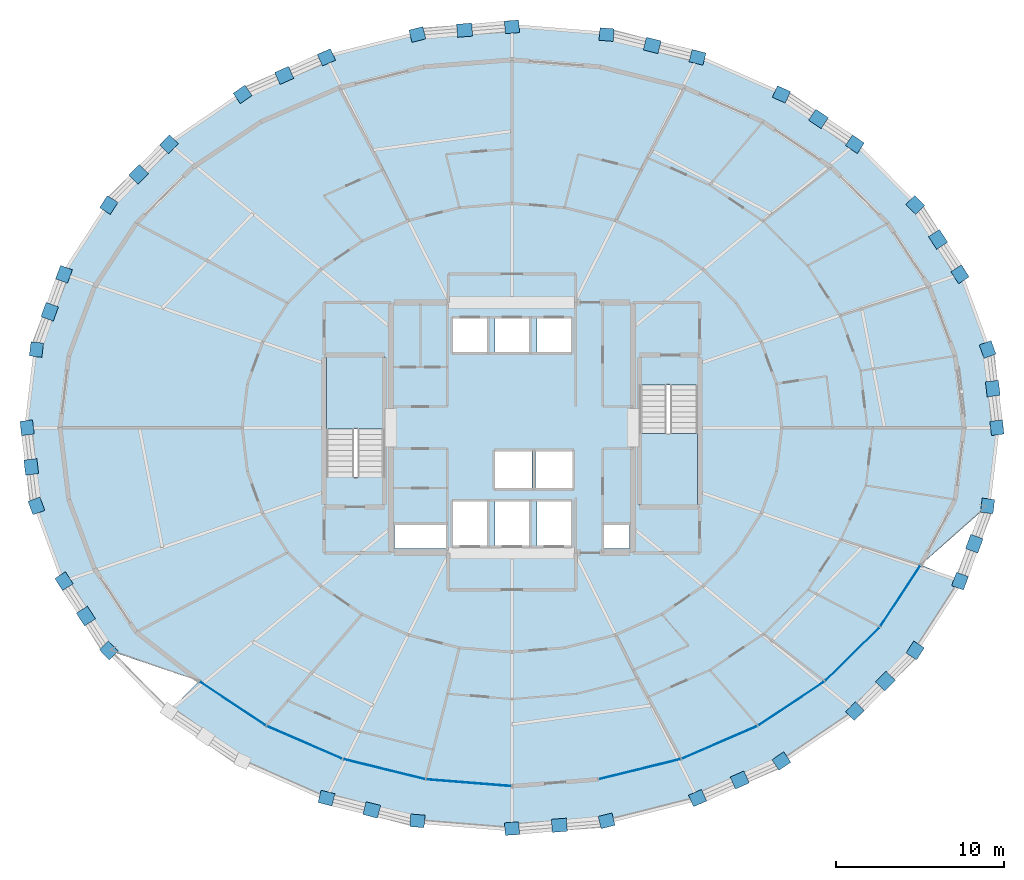
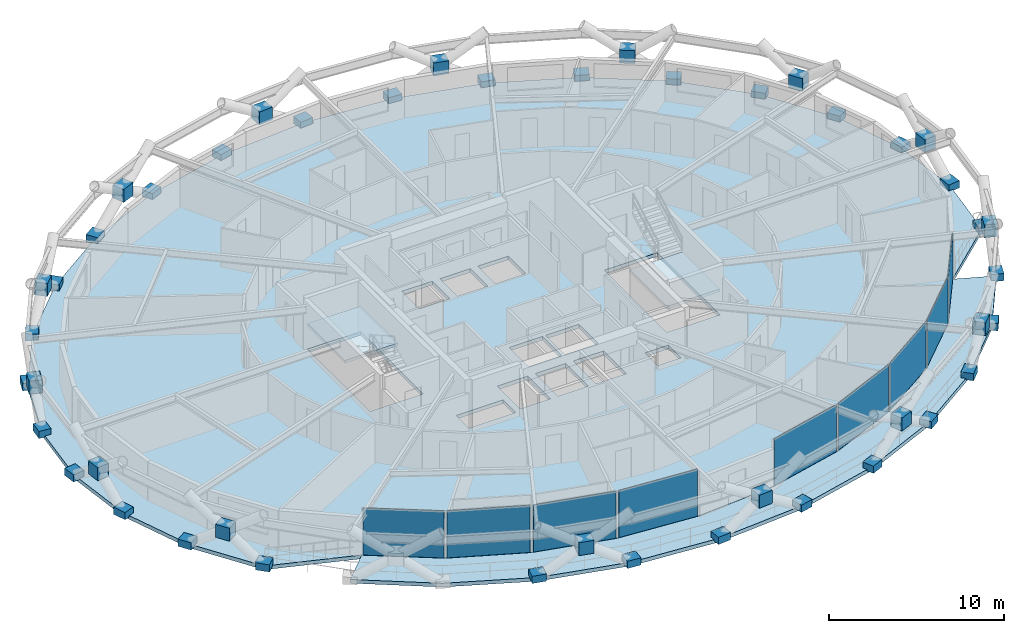
# One storey, part 14 of 21: 54 plates, 4 slabs, 4 elements without a shape of their own.
"""IFC4 building model written with IfcOpenShell, lengths in metres."""

from ifc_helpers import new_model, si_unit, direction, frame, origin, origin_2d, place, context, subcontext, project, spatial, polyline, rectangle, outline, extrude, material, layer, layer_set, type_object, element, aggregate, save


model = new_model("IFC4")

# Units and contexts
model_context = context("Model", 3, precision=1e-05, world=origin(), true_north=direction((0.0, 1.0)))
body_context = subcontext(model_context, "Body", "Model", "MODEL_VIEW")
ifc_project = project(units=[si_unit("LENGTHUNIT", "METRE"), si_unit("AREAUNIT", "SQUARE_METRE"), si_unit("VOLUMEUNIT", "CUBIC_METRE"), si_unit("PLANEANGLEUNIT", "RADIAN"), si_unit("MASSUNIT", "GRAM", prefix="KILO")], contexts=[model_context])

# Site, building, storey
site_placement = place(None, origin())
site = spatial("IfcSite", under=ifc_project, at=site_placement, CompositionType="ELEMENT")
building_placement = place(site_placement, origin())
building = spatial("IfcBuilding", under=site, at=building_placement, Name="Veldorina Hangang Commons", CompositionType="ELEMENT")
storey_placement = place(building_placement, frame((0.0, 0.0, 66.39990234375)))
storey = spatial("IfcBuildingStorey", under=building, at=storey_placement, Name="L16", CompositionType="ELEMENT", Elevation=66.39990234375)

# Curtain wall, plates
ifc_material_1 = material(Name="Glass Low-E Triple IGU", Category="glass")
ifc_layer_1 = layer(ifc_material_1, 0.179931640625)
ifc_layer_set_1 = layer_set([ifc_layer_1], Name="Glass Low-E Triple IGU")
curtain_wall_type = type_object("IfcCurtainWallType", Name="CW-SYS-Z1", PredefinedType="NOTDEFINED", material=ifc_layer_set_1)
curtain_wall_1_placement = place(storey_placement, origin())
curtain_wall_1 = element("IfcCurtainWall", 1, at=curtain_wall_1_placement, inside=storey, type_object=curtain_wall_type, Name="L16 unitised curtain wall CW-L16-R1", PredefinedType="NOTDEFINED")
ifc_layer_2 = layer(ifc_material_1, 0.0400390625)
ifc_layer_set_2 = layer_set([ifc_layer_2], Name="Glass Low-E Triple IGU")
plate_type_1 = type_object("IfcPlateType", Name="CW-PNL-VIS", PredefinedType="CURTAIN_PANEL", material=ifc_layer_set_2)
plate_1_placement = place(storey_placement, frame((15.3759765625, 7.58984375, 0.01513671875), z_axis=(0.0, 0.0, 1.0), x_axis=(0.832747346527, -0.553653191855, 0.0)))
plate_1 = element("IfcPlate", 2, at=plate_1_placement, type_object=plate_type_1, Name="CW-L16-R1 facet 1 glazed vision panel", PredefinedType="CURTAIN_PANEL", context=body_context, shape_type="SweptSolid", body=[
    extrude(rectangle(XDim=4.611572265625, YDim=0.0400390625, at=origin_2d()), origin(), (0.0, 0.0, 1.0), 3.27001953125),
])
plate_2_placement = place(storey_placement, frame((19.647216796875, 5.27783203125, 0.01513671875), z_axis=(0.0, 0.0, 1.0), x_axis=(0.917664492064, -0.39735611233, 0.0)))
plate_2 = element("IfcPlate", 3, at=plate_2_placement, type_object=plate_type_1, Name="CW-L16-R1 facet 2 glazed vision panel", PredefinedType="CURTAIN_PANEL", context=body_context, shape_type="SweptSolid", body=[
    extrude(rectangle(XDim=4.78076171875, YDim=0.0400390625, at=origin_2d()), origin(), (0.0, 0.0, 1.0), 3.27001953125),
])
plate_3_placement = place(storey_placement, frame((24.393310546875, 3.685302734375, 0.01513671875), z_axis=(0.0, 0.0, 1.0), x_axis=(0.971105130303, -0.238652102233, 0.0)))
plate_3 = element("IfcPlate", 4, at=plate_3_placement, type_object=plate_type_1, Name="CW-L16-R1 facet 3 glazed vision panel", PredefinedType="CURTAIN_PANEL", context=body_context, shape_type="SweptSolid", body=[
    extrude(rectangle(XDim=4.906494140625, YDim=0.0400390625, at=origin_2d()), origin(), (0.0, 0.0, 1.0), 3.27001953125),
])
plate_4_placement = place(storey_placement, frame((29.431396484375, 2.87353515625, 0.01513671875), z_axis=(0.0, 0.0, 1.0), x_axis=(0.996831849168, -0.079537817952, 0.0)))
plate_4 = element("IfcPlate", 5, at=plate_4_placement, type_object=plate_type_1, Name="CW-L16-R1 facet 4 glazed vision panel", PredefinedType="CURTAIN_PANEL", context=body_context, shape_type="SweptSolid", body=[
    extrude(rectangle(XDim=4.973388671875, YDim=0.0400390625, at=origin_2d()), origin(), (0.0, 0.0, 1.0), 3.27001953125),
])
aggregate(curtain_wall_1, [plate_1, plate_2, plate_3, plate_4])

curtain_wall_2_placement = place(storey_placement, origin())
curtain_wall_2 = element("IfcCurtainWall", 6, at=curtain_wall_2_placement, inside=storey, type_object=curtain_wall_type, Name="L16 unitised curtain wall CW-L16-R2", PredefinedType="NOTDEFINED")
plate_5_placement = place(storey_placement, frame((39.606689453125, 3.685302734375, 0.01513671875), z_axis=(0.0, 0.0, 1.0), x_axis=(0.971105130303, 0.238652102233, 0.0)))
plate_5 = element("IfcPlate", 7, at=plate_5_placement, type_object=plate_type_1, Name="CW-L16-R2 facet 1 glazed vision panel", PredefinedType="CURTAIN_PANEL", context=body_context, shape_type="SweptSolid", body=[
    extrude(rectangle(XDim=4.906494140625, YDim=0.0400390625, at=origin_2d()), origin(), (0.0, 0.0, 1.0), 3.27001953125),
])
plate_6_placement = place(storey_placement, frame((44.352783203125, 5.27783203125, 0.01513671875), z_axis=(0.0, 0.0, 1.0), x_axis=(0.917664492064, 0.39735611233, 0.0)))
plate_6 = element("IfcPlate", 8, at=plate_6_placement, type_object=plate_type_1, Name="CW-L16-R2 facet 2 glazed vision panel", PredefinedType="CURTAIN_PANEL", context=body_context, shape_type="SweptSolid", body=[
    extrude(rectangle(XDim=4.78076171875, YDim=0.0400390625, at=origin_2d()), origin(), (0.0, 0.0, 1.0), 3.27001953125),
])
plate_7_placement = place(storey_placement, frame((48.6240234375, 7.58984375, 0.01513671875), z_axis=(0.0, 0.0, 1.0), x_axis=(0.832747346527, 0.553653191855, 0.0)))
plate_7 = element("IfcPlate", 9, at=plate_7_placement, type_object=plate_type_1, Name="CW-L16-R2 facet 3 glazed vision panel", PredefinedType="CURTAIN_PANEL", context=body_context, shape_type="SweptSolid", body=[
    extrude(rectangle(XDim=4.611572265625, YDim=0.0400390625, at=origin_2d()), origin(), (0.0, 0.0, 1.0), 3.27001953125),
])
plate_8_placement = place(storey_placement, frame((52.256591796875, 10.53271484375, 0.01513671875), z_axis=(0.0, 0.0, 1.0), x_axis=(0.711670563205, 0.702513351807, 0.0)))
plate_8 = element("IfcPlate", 10, at=plate_8_placement, type_object=plate_type_1, Name="CW-L16-R2 facet 4 glazed vision panel", PredefinedType="CURTAIN_PANEL", context=body_context, shape_type="SweptSolid", body=[
    extrude(rectangle(XDim=4.42138671875, YDim=0.0400390625, at=origin_2d()), origin(), (0.0, 0.0, 1.0), 3.27001953125),
])
plate_9_placement = place(storey_placement, frame((55.110595703125, 13.992919921875, 0.01513671875), z_axis=(0.0, 0.0, 1.0), x_axis=(0.550728420198, 0.834684495595, 0.0)))
plate_9 = element("IfcPlate", 11, at=plate_9_placement, type_object=plate_type_1, Name="CW-L16-R2 facet 5 glazed vision panel", PredefinedType="CURTAIN_PANEL", context=body_context, shape_type="SweptSolid", body=[
    extrude(rectangle(XDim=4.23828125, YDim=0.0400390625, at=origin_2d()), origin(), (0.0, 0.0, 1.0), 3.27001953125),
])
aggregate(curtain_wall_2, [plate_5, plate_6, plate_7, plate_8, plate_9])

# Plates
ifc_material_2 = material(Name="Steel SM460-TMC", Category="steel")
ifc_layer_3 = layer(ifc_material_2, 0.035888671875)
ifc_layer_set_3 = layer_set([ifc_layer_3], Name="Steel SM460-TMC")
plate_type_2 = type_object("IfcPlateType", Name="PL-STAR-36", PredefinedType="USERDEFINED", material=ifc_layer_set_3)
plate_10_placement = place(storey_placement, frame((60.8515625, 24.0, -0.08984375), z_axis=(0.0, 0.0, 1.0), x_axis=(-0.118299984553, 0.992977901897, 0.0)))
element("IfcPlate", 12, at=plate_10_placement, inside=storey, type_object=plate_type_2, Name="L16 diagrid star-node gusset plate 00", ObjectType="GUSSET PLATE", PredefinedType="USERDEFINED", context=body_context, shape_type="SweptSolid", body=[
    extrude(rectangle(XDim=0.85009765625, YDim=0.75, at=origin_2d()), origin(), (0.0, 0.0, 1.0), 0.5),
])
plate_11_placement = place(storey_placement, frame((60.606201171875, 26.32958984375, 1.34765625), z_axis=(0.0, 0.0, 1.0), x_axis=(-0.118299984553, 0.992977901897, 0.0)))
element("IfcPlate", 13, at=plate_11_placement, inside=storey, type_object=plate_type_2, Name="L16 diagrid X-crossing star-node gusset plate 00", ObjectType="GUSSET PLATE", PredefinedType="USERDEFINED", context=body_context, shape_type="SweptSolid", body=[
    extrude(rectangle(XDim=0.89990234375, YDim=0.780029296875, at=origin_2d()), origin(), (0.0, 0.0, 1.0), 0.89990234375),
])
for number, where, z_axis, x_axis, name in (
    (14, (60.297119140625, 28.6533203125, -0.08984375), (0.0, 0.0, 1.0), (-0.34447907796, 0.938793994893, 0.0), "L16 diagrid star-node gusset plate 01"),
    (15, (58.6552734375, 33.127685546875, -0.08984375), (0.0, 0.0, 1.0), (-0.542969275902, 0.839752562024, 0.0), "L16 diagrid star-node gusset plate 02"),
):
    element("IfcPlate", number, at=place(storey_placement, frame(where, z_axis=z_axis, x_axis=x_axis)), inside=storey, type_object=plate_type_2, Name=name, ObjectType="GUSSET PLATE", PredefinedType="USERDEFINED", context=body_context, shape_type="SweptSolid", body=[
        extrude(rectangle(XDim=0.85009765625, YDim=0.75, at=origin_2d()), origin(), (0.0, 0.0, 1.0), 0.5),
    ])
plate_12_placement = place(storey_placement, frame((57.3505859375, 35.20458984375, 1.347900390625), z_axis=(0.0, 0.0, 1.0), x_axis=(-0.542969275902, 0.839752562024, 0.0)))
element("IfcPlate", 16, at=plate_12_placement, inside=storey, type_object=plate_type_2, Name="L16 diagrid X-crossing star-node gusset plate 02", ObjectType="GUSSET PLATE", PredefinedType="USERDEFINED", context=body_context, shape_type="SweptSolid", body=[
    extrude(rectangle(XDim=0.89990234375, YDim=0.780029296875, at=origin_2d()), origin(), (0.0, 0.0, 1.0), 0.89990234375),
])
for number, where, z_axis, x_axis, name in (
    (17, (55.989013671875, 37.251220703125, -0.08984375), (0.0, 0.0, 1.0), (-0.704510355776, 0.709693707598, 0.0), "L16 diagrid star-node gusset plate 03"),
    (18, (52.401123046875, 40.865478515625, -0.08984375), (0.0, 0.0, 1.0), (-0.827531577128, 0.561419173929, 0.0), "L16 diagrid star-node gusset plate 04"),
):
    element("IfcPlate", number, at=place(storey_placement, frame(where, z_axis=z_axis, x_axis=x_axis)), inside=storey, type_object=plate_type_2, Name=name, ObjectType="GUSSET PLATE", PredefinedType="USERDEFINED", context=body_context, shape_type="SweptSolid", body=[
        extrude(rectangle(XDim=0.85009765625, YDim=0.75, at=origin_2d()), origin(), (0.0, 0.0, 1.0), 0.5),
    ])
plate_13_placement = place(storey_placement, frame((50.235595703125, 42.373779296875, 1.34814453125), z_axis=(0.0, 0.0, 1.0), x_axis=(-0.827531577128, 0.561419173929, 0.0)))
element("IfcPlate", 19, at=plate_13_placement, inside=storey, type_object=plate_type_2, Name="L16 diagrid X-crossing star-node gusset plate 04", ObjectType="GUSSET PLATE", PredefinedType="USERDEFINED", context=body_context, shape_type="SweptSolid", body=[
    extrude(rectangle(XDim=0.89990234375, YDim=0.780029296875, at=origin_2d()), origin(), (0.0, 0.0, 1.0), 0.89990234375),
])
for number, where, z_axis, x_axis, name in (
    (20, (48.029052734375, 43.831787109375, -0.08984375), (0.0, 0.0, 1.0), (-0.914677717139, 0.404183960308, 0.0), "L16 diagrid star-node gusset plate 05"),
    (21, (43.041015625, 46.035888671875, -0.08984375), (0.0, 0.0, 1.0), (-0.969965485235, 0.243242589717, 0.0), "L16 diagrid star-node gusset plate 06"),
):
    element("IfcPlate", number, at=place(storey_placement, frame(where, z_axis=z_axis, x_axis=x_axis)), inside=storey, type_object=plate_type_2, Name=name, ObjectType="GUSSET PLATE", PredefinedType="USERDEFINED", context=body_context, shape_type="SweptSolid", body=[
        extrude(rectangle(XDim=0.85009765625, YDim=0.75, at=origin_2d()), origin(), (0.0, 0.0, 1.0), 0.5),
    ])
plate_14_placement = place(storey_placement, frame((40.343994140625, 46.745361328125, 1.34814453125), z_axis=(0.0, 0.0, 1.0), x_axis=(-0.969965485235, 0.243242589717, 0.0)))
element("IfcPlate", 22, at=plate_14_placement, inside=storey, type_object=plate_type_2, Name="L16 diagrid X-crossing star-node gusset plate 06", ObjectType="GUSSET PLATE", PredefinedType="USERDEFINED", context=body_context, shape_type="SweptSolid", body=[
    extrude(rectangle(XDim=0.89990234375, YDim=0.780029296875, at=origin_2d()), origin(), (0.0, 0.0, 1.0), 0.89990234375),
])
for number, where, z_axis, x_axis, name in (
    (23, (37.628662109375, 47.393310546875, -0.08984375), (0.0, 0.0, 1.0), (-0.996701433778, 0.081155726265, 0.0), "L16 diagrid star-node gusset plate 07"),
    (24, (32.0, 47.8515625, -0.08984375), (0.0, 0.0, 1.0), (-0.996701433778, -0.081155726265, 0.0), "L16 diagrid star-node gusset plate 08"),
):
    element("IfcPlate", number, at=place(storey_placement, frame(where, z_axis=z_axis, x_axis=x_axis)), inside=storey, type_object=plate_type_2, Name=name, ObjectType="GUSSET PLATE", PredefinedType="USERDEFINED", context=body_context, shape_type="SweptSolid", body=[
        extrude(rectangle(XDim=0.85009765625, YDim=0.75, at=origin_2d()), origin(), (0.0, 0.0, 1.0), 0.5),
    ])
plate_15_placement = place(storey_placement, frame((29.1826171875, 47.654052734375, 1.34814453125), z_axis=(0.0, 0.0, 1.0), x_axis=(-0.996701433778, -0.081155726265, 0.0)))
element("IfcPlate", 25, at=plate_15_placement, inside=storey, type_object=plate_type_2, Name="L16 diagrid X-crossing star-node gusset plate 08", ObjectType="GUSSET PLATE", PredefinedType="USERDEFINED", context=body_context, shape_type="SweptSolid", body=[
    extrude(rectangle(XDim=0.89990234375, YDim=0.780029296875, at=origin_2d()), origin(), (0.0, 0.0, 1.0), 0.89990234375),
])
for number, where, z_axis, x_axis, name in (
    (26, (26.371337890625, 47.393310546875, -0.08984375), (0.0, 0.0, 1.0), (-0.969965485235, -0.243242589717, 0.0), "L16 diagrid star-node gusset plate 09"),
    (27, (20.958984375, 46.035888671875, -0.08984375), (0.0, 0.0, 1.0), (-0.914677717139, -0.404183960308, 0.0), "L16 diagrid star-node gusset plate 10"),
):
    element("IfcPlate", number, at=place(storey_placement, frame(where, z_axis=z_axis, x_axis=x_axis)), inside=storey, type_object=plate_type_2, Name=name, ObjectType="GUSSET PLATE", PredefinedType="USERDEFINED", context=body_context, shape_type="SweptSolid", body=[
        extrude(rectangle(XDim=0.85009765625, YDim=0.75, at=origin_2d()), origin(), (0.0, 0.0, 1.0), 0.5),
    ])
plate_16_placement = place(storey_placement, frame((18.449951171875, 44.9619140625, 1.34814453125), z_axis=(0.0, 0.0, 1.0), x_axis=(-0.914677717139, -0.404183960308, 0.0)))
element("IfcPlate", 28, at=plate_16_placement, inside=storey, type_object=plate_type_2, Name="L16 diagrid X-crossing star-node gusset plate 10", ObjectType="GUSSET PLATE", PredefinedType="USERDEFINED", context=body_context, shape_type="SweptSolid", body=[
    extrude(rectangle(XDim=0.89990234375, YDim=0.780029296875, at=origin_2d()), origin(), (0.0, 0.0, 1.0), 0.89990234375),
])
for number, where, z_axis, x_axis, name in (
    (29, (15.970947265625, 43.831787109375, -0.08984375), (0.0, 0.0, 1.0), (-0.827531577128, -0.561419173929, 0.0), "L16 diagrid star-node gusset plate 11"),
    (30, (11.598876953125, 40.865478515625, -0.08984375), (0.0, 0.0, 1.0), (-0.704510355776, -0.709693707598, 0.0), "L16 diagrid star-node gusset plate 12"),
):
    element("IfcPlate", number, at=place(storey_placement, frame(where, z_axis=z_axis, x_axis=x_axis)), inside=storey, type_object=plate_type_2, Name=name, ObjectType="GUSSET PLATE", PredefinedType="USERDEFINED", context=body_context, shape_type="SweptSolid", body=[
        extrude(rectangle(XDim=0.85009765625, YDim=0.75, at=origin_2d()), origin(), (0.0, 0.0, 1.0), 0.5),
    ])
plate_17_placement = place(storey_placement, frame((9.780517578125, 39.078369140625, 1.347900390625), z_axis=(0.0, 0.0, 1.0), x_axis=(-0.704510355776, -0.709693707598, 0.0)))
element("IfcPlate", 31, at=plate_17_placement, inside=storey, type_object=plate_type_2, Name="L16 diagrid X-crossing star-node gusset plate 12", ObjectType="GUSSET PLATE", PredefinedType="USERDEFINED", context=body_context, shape_type="SweptSolid", body=[
    extrude(rectangle(XDim=0.89990234375, YDim=0.780029296875, at=origin_2d()), origin(), (0.0, 0.0, 1.0), 0.89990234375),
])
for number, where, z_axis, x_axis, name in (
    (32, (8.010986328125, 37.251220703125, -0.08984375), (0.0, 0.0, 1.0), (-0.542969275902, -0.839752562024, 0.0), "L16 diagrid star-node gusset plate 13"),
    (33, (5.3447265625, 33.127685546875, -0.08984375), (0.0, 0.0, 1.0), (-0.34447907796, -0.938793994893, 0.0), "L16 diagrid star-node gusset plate 14"),
):
    element("IfcPlate", number, at=place(storey_placement, frame(where, z_axis=z_axis, x_axis=x_axis)), inside=storey, type_object=plate_type_2, Name=name, ObjectType="GUSSET PLATE", PredefinedType="USERDEFINED", context=body_context, shape_type="SweptSolid", body=[
        extrude(rectangle(XDim=0.85009765625, YDim=0.75, at=origin_2d()), origin(), (0.0, 0.0, 1.0), 0.5),
    ])
plate_18_placement = place(storey_placement, frame((4.493408203125, 30.899658203125, 1.34765625), z_axis=(0.0, 0.0, 1.0), x_axis=(-0.34447907796, -0.938793994893, 0.0)))
element("IfcPlate", 34, at=plate_18_placement, inside=storey, type_object=plate_type_2, Name="L16 diagrid X-crossing star-node gusset plate 14", ObjectType="GUSSET PLATE", PredefinedType="USERDEFINED", context=body_context, shape_type="SweptSolid", body=[
    extrude(rectangle(XDim=0.89990234375, YDim=0.780029296875, at=origin_2d()), origin(), (0.0, 0.0, 1.0), 0.89990234375),
])
for number, where, z_axis, x_axis, name in (
    (35, (3.702880859375, 28.6533203125, -0.08984375), (0.0, 0.0, 1.0), (-0.118299984553, -0.992977901897, 0.0), "L16 diagrid star-node gusset plate 15"),
    (36, (3.1484375, 24.0, -0.08984375), (0.0, 0.0, 1.0), (0.118299984553, -0.992977901897, 0.0), "L16 diagrid star-node gusset plate 16"),
):
    element("IfcPlate", number, at=place(storey_placement, frame(where, z_axis=z_axis, x_axis=x_axis)), inside=storey, type_object=plate_type_2, Name=name, ObjectType="GUSSET PLATE", PredefinedType="USERDEFINED", context=body_context, shape_type="SweptSolid", body=[
        extrude(rectangle(XDim=0.85009765625, YDim=0.75, at=origin_2d()), origin(), (0.0, 0.0, 1.0), 0.5),
    ])
plate_19_placement = place(storey_placement, frame((3.393798828125, 21.67041015625, 1.34765625), z_axis=(0.0, 0.0, 1.0), x_axis=(0.118299984553, -0.992977901897, 0.0)))
element("IfcPlate", 37, at=plate_19_placement, inside=storey, type_object=plate_type_2, Name="L16 diagrid X-crossing star-node gusset plate 16", ObjectType="GUSSET PLATE", PredefinedType="USERDEFINED", context=body_context, shape_type="SweptSolid", body=[
    extrude(rectangle(XDim=0.89990234375, YDim=0.780029296875, at=origin_2d()), origin(), (0.0, 0.0, 1.0), 0.89990234375),
])
for number, where, z_axis, x_axis, name in (
    (38, (3.702880859375, 19.3466796875, -0.08984375), (0.0, 0.0, 1.0), (0.34447907796, -0.938793994893, 0.0), "L16 diagrid star-node gusset plate 17"),
    (39, (5.3447265625, 14.872314453125, -0.08984375), (0.0, 0.0, 1.0), (0.542969275902, -0.839752562024, 0.0), "L16 diagrid star-node gusset plate 18"),
):
    element("IfcPlate", number, at=place(storey_placement, frame(where, z_axis=z_axis, x_axis=x_axis)), inside=storey, type_object=plate_type_2, Name=name, ObjectType="GUSSET PLATE", PredefinedType="USERDEFINED", context=body_context, shape_type="SweptSolid", body=[
        extrude(rectangle(XDim=0.85009765625, YDim=0.75, at=origin_2d()), origin(), (0.0, 0.0, 1.0), 0.5),
    ])
plate_20_placement = place(storey_placement, frame((6.6494140625, 12.79541015625, 1.347900390625), z_axis=(0.0, 0.0, 1.0), x_axis=(0.542969275902, -0.839752562024, 0.0)))
element("IfcPlate", 40, at=plate_20_placement, inside=storey, type_object=plate_type_2, Name="L16 diagrid X-crossing star-node gusset plate 18", ObjectType="GUSSET PLATE", PredefinedType="USERDEFINED", context=body_context, shape_type="SweptSolid", body=[
    extrude(rectangle(XDim=0.89990234375, YDim=0.780029296875, at=origin_2d()), origin(), (0.0, 0.0, 1.0), 0.89990234375),
])
for number, where, z_axis, x_axis, name in (
    (41, (8.010986328125, 10.748779296875, -0.08984375), (0.0, 0.0, 1.0), (0.704510355776, -0.709693707598, 0.0), "L16 diagrid star-node gusset plate 19"),
    (42, (20.958984375, 1.964111328125, -0.08984375), (0.0, 0.0, 1.0), (0.969965485235, -0.243242589717, 0.0), "L16 diagrid star-node gusset plate 22"),
):
    element("IfcPlate", number, at=place(storey_placement, frame(where, z_axis=z_axis, x_axis=x_axis)), inside=storey, type_object=plate_type_2, Name=name, ObjectType="GUSSET PLATE", PredefinedType="USERDEFINED", context=body_context, shape_type="SweptSolid", body=[
        extrude(rectangle(XDim=0.85009765625, YDim=0.75, at=origin_2d()), origin(), (0.0, 0.0, 1.0), 0.5),
    ])
plate_21_placement = place(storey_placement, frame((23.656005859375, 1.254638671875, 1.34814453125), z_axis=(0.0, 0.0, 1.0), x_axis=(0.969965485235, -0.243242589717, 0.0)))
element("IfcPlate", 43, at=plate_21_placement, inside=storey, type_object=plate_type_2, Name="L16 diagrid X-crossing star-node gusset plate 22", ObjectType="GUSSET PLATE", PredefinedType="USERDEFINED", context=body_context, shape_type="SweptSolid", body=[
    extrude(rectangle(XDim=0.89990234375, YDim=0.780029296875, at=origin_2d()), origin(), (0.0, 0.0, 1.0), 0.89990234375),
])
for number, where, z_axis, x_axis, name in (
    (44, (26.371337890625, 0.606689453125, -0.08984375), (0.0, 0.0, 1.0), (0.996701433778, -0.081155726265, 0.0), "L16 diagrid star-node gusset plate 23"),
    (45, (32.0, 0.1484375, -0.08984375), (0.0, 0.0, 1.0), (0.996701433778, 0.081155726265, 0.0), "L16 diagrid star-node gusset plate 24"),
):
    element("IfcPlate", number, at=place(storey_placement, frame(where, z_axis=z_axis, x_axis=x_axis)), inside=storey, type_object=plate_type_2, Name=name, ObjectType="GUSSET PLATE", PredefinedType="USERDEFINED", context=body_context, shape_type="SweptSolid", body=[
        extrude(rectangle(XDim=0.85009765625, YDim=0.75, at=origin_2d()), origin(), (0.0, 0.0, 1.0), 0.5),
    ])
plate_22_placement = place(storey_placement, frame((34.8173828125, 0.345947265625, 1.34814453125), z_axis=(0.0, 0.0, 1.0), x_axis=(0.996701433778, 0.081155726265, 0.0)))
element("IfcPlate", 46, at=plate_22_placement, inside=storey, type_object=plate_type_2, Name="L16 diagrid X-crossing star-node gusset plate 24", ObjectType="GUSSET PLATE", PredefinedType="USERDEFINED", context=body_context, shape_type="SweptSolid", body=[
    extrude(rectangle(XDim=0.89990234375, YDim=0.780029296875, at=origin_2d()), origin(), (0.0, 0.0, 1.0), 0.89990234375),
])
for number, where, z_axis, x_axis, name in (
    (47, (37.628662109375, 0.606689453125, -0.08984375), (0.0, 0.0, 1.0), (0.969965485235, 0.243242589717, 0.0), "L16 diagrid star-node gusset plate 25"),
    (48, (43.041015625, 1.964111328125, -0.08984375), (0.0, 0.0, 1.0), (0.914677717139, 0.404183960308, 0.0), "L16 diagrid star-node gusset plate 26"),
):
    element("IfcPlate", number, at=place(storey_placement, frame(where, z_axis=z_axis, x_axis=x_axis)), inside=storey, type_object=plate_type_2, Name=name, ObjectType="GUSSET PLATE", PredefinedType="USERDEFINED", context=body_context, shape_type="SweptSolid", body=[
        extrude(rectangle(XDim=0.85009765625, YDim=0.75, at=origin_2d()), origin(), (0.0, 0.0, 1.0), 0.5),
    ])
plate_23_placement = place(storey_placement, frame((45.550048828125, 3.0380859375, 1.34814453125), z_axis=(0.0, 0.0, 1.0), x_axis=(0.914677717139, 0.404183960308, 0.0)))
element("IfcPlate", 49, at=plate_23_placement, inside=storey, type_object=plate_type_2, Name="L16 diagrid X-crossing star-node gusset plate 26", ObjectType="GUSSET PLATE", PredefinedType="USERDEFINED", context=body_context, shape_type="SweptSolid", body=[
    extrude(rectangle(XDim=0.89990234375, YDim=0.780029296875, at=origin_2d()), origin(), (0.0, 0.0, 1.0), 0.89990234375),
])
for number, where, z_axis, x_axis, name in (
    (50, (48.029052734375, 4.168212890625, -0.08984375), (0.0, 0.0, 1.0), (0.827531577128, 0.561419173929, 0.0), "L16 diagrid star-node gusset plate 27"),
    (51, (52.401123046875, 7.134521484375, -0.08984375), (0.0, 0.0, 1.0), (0.704510355776, 0.709693707598, 0.0), "L16 diagrid star-node gusset plate 28"),
):
    element("IfcPlate", number, at=place(storey_placement, frame(where, z_axis=z_axis, x_axis=x_axis)), inside=storey, type_object=plate_type_2, Name=name, ObjectType="GUSSET PLATE", PredefinedType="USERDEFINED", context=body_context, shape_type="SweptSolid", body=[
        extrude(rectangle(XDim=0.85009765625, YDim=0.75, at=origin_2d()), origin(), (0.0, 0.0, 1.0), 0.5),
    ])
plate_24_placement = place(storey_placement, frame((54.219482421875, 8.921630859375, 1.347900390625), z_axis=(0.0, 0.0, 1.0), x_axis=(0.704510355776, 0.709693707598, 0.0)))
element("IfcPlate", 52, at=plate_24_placement, inside=storey, type_object=plate_type_2, Name="L16 diagrid X-crossing star-node gusset plate 28", ObjectType="GUSSET PLATE", PredefinedType="USERDEFINED", context=body_context, shape_type="SweptSolid", body=[
    extrude(rectangle(XDim=0.89990234375, YDim=0.780029296875, at=origin_2d()), origin(), (0.0, 0.0, 1.0), 0.89990234375),
])
for number, where, z_axis, x_axis, name in (
    (53, (55.989013671875, 10.748779296875, -0.08984375), (0.0, 0.0, 1.0), (0.542969275902, 0.839752562024, 0.0), "L16 diagrid star-node gusset plate 29"),
    (54, (58.6552734375, 14.872314453125, -0.08984375), (0.0, 0.0, 1.0), (0.34447907796, 0.938793994893, 0.0), "L16 diagrid star-node gusset plate 30"),
):
    element("IfcPlate", number, at=place(storey_placement, frame(where, z_axis=z_axis, x_axis=x_axis)), inside=storey, type_object=plate_type_2, Name=name, ObjectType="GUSSET PLATE", PredefinedType="USERDEFINED", context=body_context, shape_type="SweptSolid", body=[
        extrude(rectangle(XDim=0.85009765625, YDim=0.75, at=origin_2d()), origin(), (0.0, 0.0, 1.0), 0.5),
    ])
plate_25_placement = place(storey_placement, frame((59.506591796875, 17.100341796875, 1.34765625), z_axis=(0.0, 0.0, 1.0), x_axis=(0.34447907796, 0.938793994893, 0.0)))
element("IfcPlate", 55, at=plate_25_placement, inside=storey, type_object=plate_type_2, Name="L16 diagrid X-crossing star-node gusset plate 30", ObjectType="GUSSET PLATE", PredefinedType="USERDEFINED", context=body_context, shape_type="SweptSolid", body=[
    extrude(rectangle(XDim=0.89990234375, YDim=0.780029296875, at=origin_2d()), origin(), (0.0, 0.0, 1.0), 0.89990234375),
])
plate_26_placement = place(storey_placement, frame((60.297119140625, 19.3466796875, -0.08984375), z_axis=(0.0, 0.0, 1.0), x_axis=(0.118299984553, 0.992977901897, 0.0)))
element("IfcPlate", 56, at=plate_26_placement, inside=storey, type_object=plate_type_2, Name="L16 diagrid star-node gusset plate 31", ObjectType="GUSSET PLATE", PredefinedType="USERDEFINED", context=body_context, shape_type="SweptSolid", body=[
    extrude(rectangle(XDim=0.85009765625, YDim=0.75, at=origin_2d()), origin(), (0.0, 0.0, 1.0), 0.5),
])

# Slabs
ifc_material_3 = material(Name="Concrete C40/50", Category="concrete")
ifc_layer_4 = layer(ifc_material_3, 0.260009765625)
ifc_layer_set_4 = layer_set([ifc_layer_4], Name="Concrete C40/50")
slab_type_1 = type_object("IfcSlabType", Name="SL-FLR-260", PredefinedType="FLOOR", material=ifc_layer_set_4)
slab_1_placement = place(storey_placement, frame((0.0, 0.0, -0.260009765625)))
element("IfcSlab", 57, at=slab_1_placement, inside=storey, type_object=slab_type_1, Name="L16 tower structural floor slab", PredefinedType="FLOOR", context=body_context, shape_type="SweptSolid", body=[
    extrude(outline(polyline([(60.8515625, 24.0), (60.297119140625, 28.6533203125), (58.6552734375, 33.127685546875), (55.989013671875, 37.251220703125), (52.401123046875, 40.865478515625), (48.029052734375, 43.831787109375), (43.041015625, 46.035888671875), (37.628662109375, 47.393310546875), (32.0, 47.8515625), (26.371337890625, 47.393310546875), (20.958984375, 46.035888671875), (15.970947265625, 43.831787109375), (11.598876953125, 40.865478515625), (8.010986328125, 37.251220703125), (5.3447265625, 33.127685546875), (3.702880859375, 28.6533203125), (3.1484375, 24.0), (3.702880859375, 19.3466796875), (5.3447265625, 14.872314453125), (8.010986328125, 10.748779296875), (13.380859375, 8.91650390625), (17.37109375, 6.263427734375), (21.92333984375, 4.292236328125), (26.863037109375, 3.078369140625), (32.0, 2.66845703125), (37.136962890625, 3.078369140625), (42.07666015625, 4.292236328125), (46.62890625, 6.263427734375), (50.619140625, 8.91650390625), (53.893798828125, 12.14892578125), (56.3271484375, 15.8369140625), (60.297119140625, 19.3466796875), (60.8515625, 24.0)]), holes=[polyline([(20.949951171875, 21.05810546875), (20.949951171875, 28.199951171875), (24.449951171875, 28.199951171875), (24.449951171875, 21.05810546875), (20.949951171875, 21.05810546875)]), polyline([(43.050048828125, 26.5419921875), (43.050048828125, 19.39990234375), (39.550048828125, 19.39990234375), (39.550048828125, 26.5419921875), (43.050048828125, 26.5419921875)]), polyline([(28.5, 30.5), (30.5, 30.5), (30.5, 28.5), (28.5, 28.5), (28.5, 30.5)]), polyline([(31.0, 30.5), (33.0, 30.5), (33.0, 28.5), (31.0, 28.5), (31.0, 30.5)]), polyline([(33.5, 30.5), (35.5, 30.5), (35.5, 28.5), (33.5, 28.5), (33.5, 30.5)]), polyline([(31.0, 22.60009765625), (33.199951171875, 22.60009765625), (33.199951171875, 20.39990234375), (31.0, 20.39990234375), (31.0, 22.60009765625)]), polyline([(33.39990234375, 22.60009765625), (35.60009765625, 22.60009765625), (35.60009765625, 20.39990234375), (33.39990234375, 20.39990234375), (33.39990234375, 22.60009765625)]), polyline([(28.5, 19.60009765625), (30.5, 19.60009765625), (30.5, 17.0), (28.5, 17.0), (28.5, 19.60009765625)]), polyline([(31.0, 19.60009765625), (33.0, 19.60009765625), (33.0, 17.0), (31.0, 17.0), (31.0, 19.60009765625)]), polyline([(33.5, 19.60009765625), (35.5, 19.60009765625), (35.5, 17.0), (33.5, 17.0), (33.5, 19.60009765625)]), polyline([(25.0, 18.25), (28.10009765625, 18.25), (28.10009765625, 16.800048828125), (25.0, 16.800048828125), (25.0, 18.25)]), polyline([(37.449951171875, 18.25), (39.0, 18.25), (39.0, 16.800048828125), (37.449951171875, 16.800048828125), (37.449951171875, 18.25)])]), origin(), (0.0, 0.0, 1.0), 0.260009765625),
])
slab_2_placement = place(storey_placement, frame((0.0, 0.0, -0.260009765625)))
element("IfcSlab", 58, at=slab_2_placement, inside=storey, type_object=slab_type_1, Name="L16 sky-garden loggia outdoor slab", PredefinedType="FLOOR", context=body_context, shape_type="SweptSolid", body=[
    extrude(outline(polyline([(58.6552734375, 14.872314453125), (55.989013671875, 10.748779296875), (52.401123046875, 7.134521484375), (48.029052734375, 4.168212890625), (43.041015625, 1.964111328125), (37.628662109375, 0.606689453125), (32.0, 0.1484375), (26.371337890625, 0.606689453125), (20.958984375, 1.964111328125), (15.970947265625, 4.168212890625), (11.598876953125, 7.134521484375), (13.368896484375, 8.904541015625), (13.3740234375, 8.90283203125), (17.36279296875, 6.2509765625), (17.36376953125, 6.250244140625), (17.364990234375, 6.249755859375), (21.91748046875, 4.278564453125), (21.918701171875, 4.278076171875), (21.919921875, 4.277587890625), (26.859375, 3.063720703125), (26.860595703125, 3.063720703125), (26.86181640625, 3.0634765625), (31.998779296875, 2.653564453125), (32.0, 2.653564453125), (32.001220703125, 2.653564453125), (37.13818359375, 3.0634765625), (37.139404296875, 3.063720703125), (37.140625, 3.063720703125), (42.080078125, 4.277587890625), (42.081298828125, 4.278076171875), (42.08251953125, 4.278564453125), (46.635009765625, 6.249755859375), (46.63623046875, 6.250244140625), (46.63720703125, 6.2509765625), (50.62744140625, 8.90380859375), (50.628662109375, 8.90478515625), (50.629638671875, 8.90576171875), (53.904296875, 12.13818359375), (53.905517578125, 12.139404296875), (53.90625, 12.140625), (56.33837890625, 15.826904296875), (56.342529296875, 15.830322265625), (58.6552734375, 14.872314453125)])), origin(), (0.0, 0.0, 1.0), 0.260009765625),
])

# Stair, slab
stair_type = type_object("IfcStairType", Name="STR-DOG-1650-20R", PredefinedType="HALF_TURN_STAIR", material=ifc_material_3)
stair_1_placement = place(storey_placement, origin())
stair_1 = element("IfcStair", 59, at=stair_1_placement, inside=storey, type_object=stair_type, Name="L16 Exit stair ST-1", PredefinedType="HALF_TURN_STAIR")
ifc_layer_5 = layer(ifc_material_3, 0.199951171875)
ifc_layer_set_5 = layer_set([ifc_layer_5], Name="Concrete C40/50")
slab_type_2 = type_object("IfcSlabType", Name="SL-LND-200", PredefinedType="LANDING", material=ifc_layer_set_5)
slab_3_placement = place(storey_placement, frame((0.0, 0.0, 1.60009765625)))
slab_3 = element("IfcSlab", 60, at=slab_3_placement, type_object=slab_type_2, Name="ST-1 landing 1", PredefinedType="LANDING", context=body_context, shape_type="SweptSolid", body=[
    extrude(outline(polyline([(24.449951171875, 23.929931640625), (24.449951171875, 28.199951171875), (20.949951171875, 28.199951171875), (20.949951171875, 23.929931640625), (24.449951171875, 23.929931640625)])), origin(), (0.0, 0.0, 1.0), 0.199951171875),
])
aggregate(stair_1, [slab_3])

stair_2_placement = place(storey_placement, origin())
stair_2 = element("IfcStair", 61, at=stair_2_placement, inside=storey, type_object=stair_type, Name="L16 Exit stair ST-2", PredefinedType="HALF_TURN_STAIR")
slab_4_placement = place(storey_placement, frame((0.0, 0.0, 1.60009765625)))
slab_4 = element("IfcSlab", 62, at=slab_4_placement, type_object=slab_type_2, Name="ST-2 landing 1", PredefinedType="LANDING", context=body_context, shape_type="SweptSolid", body=[
    extrude(outline(polyline([(39.550048828125, 23.669921875), (39.550048828125, 19.39990234375), (43.050048828125, 19.39990234375), (43.050048828125, 23.669921875), (39.550048828125, 23.669921875)])), origin(), (0.0, 0.0, 1.0), 0.199951171875),
])
aggregate(stair_2, [slab_4])

save(model, "model.ifc")
